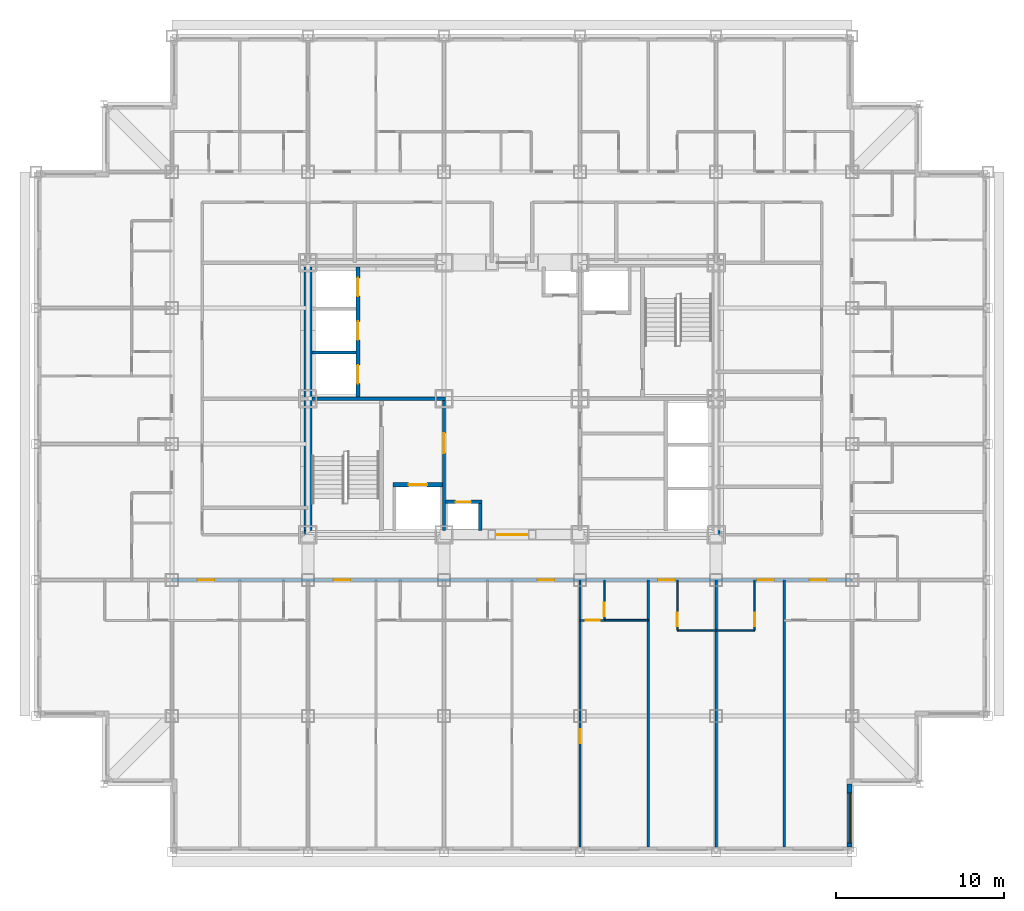
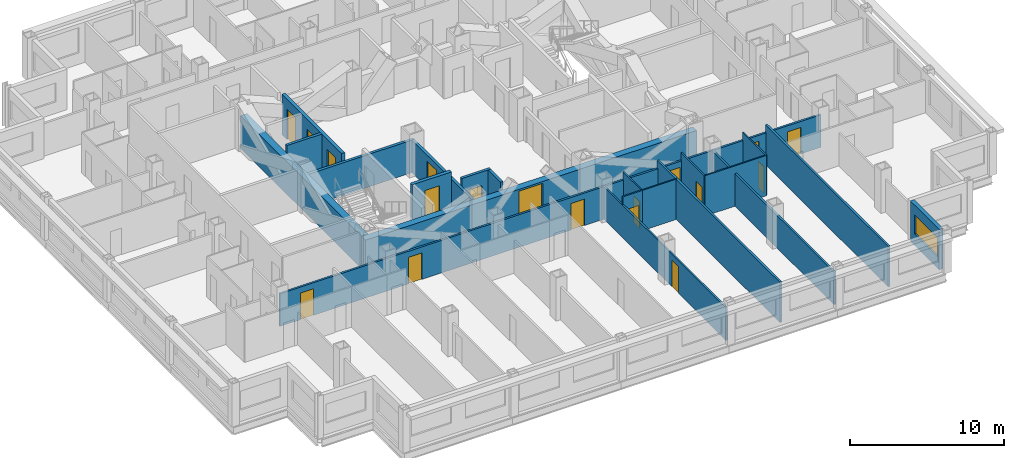
# One storey, part 6 of 13: 21 walls, 18 doors, 1 window, 19 openings.
"""IFC4 building model written with IfcOpenShell, lengths in metres."""

from ifc_helpers import new_model, si_unit, direction, frame, frame_2d, origin, place, context, subcontext, project, spatial, rectangle, extrude, material, layer, layer_set, type_object, element, fill, save


model = new_model("IFC4")

# Units and contexts
model_context = context("Model", 3, precision=1e-05, world=origin(), true_north=direction((0.0, 1.0)))
body_context = subcontext(model_context, "Body", "Model", "MODEL_VIEW")
ifc_project = project(units=[si_unit("LENGTHUNIT", "METRE"), si_unit("AREAUNIT", "SQUARE_METRE"), si_unit("VOLUMEUNIT", "CUBIC_METRE"), si_unit("PLANEANGLEUNIT", "RADIAN"), si_unit("MASSUNIT", "GRAM", prefix="KILO")], contexts=[model_context])

# Site, building, storey
site_placement = place(None, origin())
site = spatial("IfcSite", under=ifc_project, at=site_placement, CompositionType="ELEMENT")
building_placement = place(site_placement, origin())
building = spatial("IfcBuilding", under=site, at=building_placement, Name="Kopane Lantern Tower", CompositionType="ELEMENT")
storey_placement = place(building_placement, frame((0.0, 0.0, 130.60009765625)))
storey = spatial("IfcBuildingStorey", under=building, at=storey_placement, Name="L33", CompositionType="ELEMENT", Elevation=130.60009765625)

# Wall, opening, door
ifc_material_1 = material(Name="Gypsum board on steel studs", Category="steel")
ifc_layer_1 = layer(ifc_material_1, 0.1201171875)
ifc_layer_set_1 = layer_set([ifc_layer_1], Name="APARTMENT INTERNAL WALL 120")
wall_type_1 = type_object("IfcWallType", Name="APARTMENT INTERNAL WALL 120", PredefinedType="PARTITIONING", material=ifc_layer_set_1)
wall_1_placement = place(storey_placement, frame((32.39990234375, 21.60009765625, 0.0), z_axis=(0.0, 0.0, 1.0), x_axis=(0.0, -1.0, 0.0)))
wall_1 = element("IfcWall", 1, at=wall_1_placement, inside=storey, type_object=wall_type_1, Name="Apartment Internal Wall 120 L33", PredefinedType="PARTITIONING", context=body_context, shape_type="SweptSolid", body=[
    extrude(rectangle(XDim=15.900146484375, YDim=0.1201171875, at=frame_2d((7.9501953125, 0.0))), origin(), (0.0, 0.0, 1.0), 2.57763671875),
])
opening_1_placement = place(wall_1_placement, frame((8.875, 0.0, 0.0)))
opening_1 = element("IfcOpeningElement", 2, at=opening_1_placement, cuts=wall_1, Name="Opening L33-024", PredefinedType="OPENING", context=body_context, shape_type="SweptSolid", body=[
    extrude(rectangle(XDim=0.85009765625, YDim=2.10009765625, at=frame_2d((0.425048828125, 1.050048828125))), frame((0.0, 0.070068359375, 0.0), z_axis=(0.0, -1.0, 0.0), x_axis=(1.0, 0.0, 0.0)), (0.0, 0.0, 1.0), 0.14013671875),
])
ifc_material_2 = material(Name="Timber door set", Category="wood")
door_type_1 = type_object("IfcDoorType", Name="DOOR D4 850x2100", OperationType="SINGLE_SWING_LEFT", PredefinedType="DOOR", material=ifc_material_2)
door_1_placement = place(opening_1_placement, origin())
door_1 = element("IfcDoor", 3, at=door_1_placement, inside=storey, type_object=door_type_1, Name="Door L33-024", OperationType="SINGLE_SWING_LEFT", OverallHeight=2.10009765625, OverallWidth=0.85009765625, PredefinedType="DOOR", context=body_context, shape_type="SweptSolid", body=[
    extrude(rectangle(XDim=0.85009765625, YDim=2.10009765625, at=frame_2d((0.425048828125, 1.050048828125))), frame((0.0, 0.02490234375, 0.0), z_axis=(0.0, -1.0, 0.0), x_axis=(1.0, 0.0, 0.0)), (0.0, 0.0, 1.0), 0.050048828125),
])
fill(opening_1, door_1)

wall_2_placement = place(storey_placement, frame((33.860107421875, 19.199951171875, 0.0), z_axis=(0.0, 0.0, 1.0), x_axis=(-1.0, 0.0, 0.0)))
wall_2 = element("IfcWall", 4, at=wall_2_placement, inside=storey, type_object=wall_type_1, Name="Apartment Internal Wall 120 L33", PredefinedType="PARTITIONING", context=body_context, shape_type="SweptSolid", body=[
    extrude(rectangle(XDim=1.460205078125, YDim=0.1201171875, at=frame_2d((0.72998046875, 0.0))), origin(), (0.0, 0.0, 1.0), 3.18994140625),
])
opening_2_placement = place(wall_2_placement, frame((0.27490234375, 0.0, 0.0)))
opening_2 = element("IfcOpeningElement", 5, at=opening_2_placement, cuts=wall_2, Name="Opening L33-082", PredefinedType="OPENING", context=body_context, shape_type="SweptSolid", body=[
    extrude(rectangle(XDim=0.85009765625, YDim=2.10009765625, at=frame_2d((0.425048828125, 1.050048828125))), frame((0.0, 0.070068359375, 0.0), z_axis=(0.0, -1.0, 0.0), x_axis=(1.0, 0.0, 0.0)), (0.0, 0.0, 1.0), 0.14013671875),
])
door_2_placement = place(opening_2_placement, origin())
door_2 = element("IfcDoor", 6, at=door_2_placement, inside=storey, type_object=door_type_1, Name="Door L33-082", OperationType="SINGLE_SWING_RIGHT", OverallHeight=2.10009765625, OverallWidth=0.85009765625, PredefinedType="DOOR", context=body_context, shape_type="SweptSolid", body=[
    extrude(rectangle(XDim=0.85009765625, YDim=2.10009765625, at=frame_2d((0.425048828125, 1.050048828125))), frame((0.0, 0.02490234375, 0.0), z_axis=(0.0, -1.0, 0.0), x_axis=(1.0, 0.0, 0.0)), (0.0, 0.0, 1.0), 0.050048828125),
])
fill(opening_2, door_2)

# Wall
ifc_material_3 = material(Name="Moisture-resistant board on steel studs", Category="steel")
ifc_layer_2 = layer(ifc_material_3, 0.10009765625)
ifc_layer_set_2 = layer_set([ifc_layer_2], Name="BATHROOM WALL 100")
wall_type_2 = type_object("IfcWallType", Name="BATHROOM WALL 100", PredefinedType="PARTITIONING", material=ifc_layer_set_2)
wall_3_placement = place(storey_placement, frame((33.85009765625, 19.199951171875, 0.0), z_axis=(0.0, 0.0, 1.0), x_axis=(1.0, 0.0, 0.0)))
element("IfcWall", 7, at=wall_3_placement, inside=storey, type_object=wall_type_2, Name="Bathroom Wall 100 L33", PredefinedType="PARTITIONING", context=body_context, shape_type="SweptSolid", body=[
    extrude(rectangle(XDim=2.599853515625, YDim=0.10009765625, at=frame_2d((1.2998046875, 0.0))), origin(), (0.0, 0.0, 1.0), 3.18994140625),
])

# Wall, opening, door
wall_4_placement = place(storey_placement, frame((33.85009765625, 21.60009765625, 0.0), z_axis=(0.0, 0.0, 1.0), x_axis=(0.0, -1.0, 0.0)))
wall_4 = element("IfcWall", 8, at=wall_4_placement, inside=storey, type_object=wall_type_2, Name="Bathroom Wall 100 L33", PredefinedType="PARTITIONING", context=body_context, shape_type="SweptSolid", body=[
    extrude(rectangle(XDim=2.400146484375, YDim=0.10009765625, at=frame_2d((1.2001953125, 0.0))), origin(), (0.0, 0.0, 1.0), 3.18994140625),
])
opening_3_placement = place(wall_4_placement, frame((1.35009765625, 0.0, 0.0)))
opening_3 = element("IfcOpeningElement", 9, at=opening_3_placement, cuts=wall_4, Name="Opening L33-023", PredefinedType="OPENING", context=body_context, shape_type="SweptSolid", body=[
    extrude(rectangle(XDim=0.800048828125, YDim=2.10009765625, at=frame_2d((0.39990234375, 1.050048828125))), frame((0.0, 0.06005859375, 0.0), z_axis=(0.0, -1.0, 0.0), x_axis=(1.0, 0.0, 0.0)), (0.0, 0.0, 1.0), 0.1201171875),
])
ifc_material_4 = material(Name="Timber door set", Category="wood")
door_type_2 = type_object("IfcDoorType", Name="DOOR D2 800x2100", OperationType="SINGLE_SWING_LEFT", PredefinedType="DOOR", material=ifc_material_4)
door_3_placement = place(opening_3_placement, origin())
door_3 = element("IfcDoor", 10, at=door_3_placement, inside=storey, type_object=door_type_2, Name="Door L33-023", OperationType="SINGLE_SWING_LEFT", OverallHeight=2.10009765625, OverallWidth=0.800048828125, PredefinedType="DOOR", context=body_context, shape_type="SweptSolid", body=[
    extrude(rectangle(XDim=0.800048828125, YDim=2.10009765625, at=frame_2d((0.39990234375, 1.050048828125))), frame((0.0, 0.02490234375, 0.0), z_axis=(0.0, -1.0, 0.0), x_axis=(1.0, 0.0, 0.0)), (0.0, 0.0, 1.0), 0.050048828125),
])
fill(opening_3, door_3)

# Wall
wall_5_placement = place(storey_placement, frame((38.199951171875, 18.60009765625, 0.0), z_axis=(0.0, 0.0, 1.0), x_axis=(1.0, 0.0, 0.0)))
element("IfcWall", 11, at=wall_5_placement, inside=storey, type_object=wall_type_2, Name="Bathroom Wall 100 L33", PredefinedType="PARTITIONING", context=body_context, shape_type="SweptSolid", body=[
    extrude(rectangle(XDim=4.60009765625, YDim=0.10009765625, at=frame_2d((2.300048828125, 0.0))), origin(), (0.0, 0.0, 1.0), 3.18994140625),
])

# Wall, opening, door
wall_6_placement = place(storey_placement, frame((38.199951171875, 21.60009765625, 0.0), z_axis=(0.0, 0.0, 1.0), x_axis=(0.0, -1.0, 0.0)))
wall_6 = element("IfcWall", 12, at=wall_6_placement, inside=storey, type_object=wall_type_2, Name="Bathroom Wall 100 L33", PredefinedType="PARTITIONING", context=body_context, shape_type="SweptSolid", body=[
    extrude(rectangle(XDim=3.0, YDim=0.10009765625, at=frame_2d((1.5, 0.0))), origin(), (0.0, 0.0, 1.0), 3.18994140625),
])
opening_4_placement = place(wall_6_placement, frame((1.949951171875, 0.0, 0.0)))
opening_4 = element("IfcOpeningElement", 13, at=opening_4_placement, cuts=wall_6, Name="Opening L33-025", PredefinedType="OPENING", context=body_context, shape_type="SweptSolid", body=[
    extrude(rectangle(XDim=0.800048828125, YDim=2.10009765625, at=frame_2d((0.39990234375, 1.050048828125))), frame((0.0, 0.06005859375, 0.0), z_axis=(0.0, -1.0, 0.0), x_axis=(1.0, 0.0, 0.0)), (0.0, 0.0, 1.0), 0.1201171875),
])
door_4_placement = place(opening_4_placement, origin())
door_4 = element("IfcDoor", 14, at=door_4_placement, inside=storey, type_object=door_type_2, Name="Door L33-025", OperationType="SINGLE_SWING_RIGHT", OverallHeight=2.10009765625, OverallWidth=0.800048828125, PredefinedType="DOOR", context=body_context, shape_type="SweptSolid", body=[
    extrude(rectangle(XDim=0.800048828125, YDim=2.10009765625, at=frame_2d((0.39990234375, 1.050048828125))), frame((0.0, 0.02490234375, 0.0), z_axis=(0.0, -1.0, 0.0), x_axis=(1.0, 0.0, 0.0)), (0.0, 0.0, 1.0), 0.050048828125),
])
fill(opening_4, door_4)

wall_7_placement = place(storey_placement, frame((42.800048828125, 21.60009765625, 0.0), z_axis=(0.0, 0.0, 1.0), x_axis=(0.0, -1.0, 0.0)))
wall_7 = element("IfcWall", 15, at=wall_7_placement, inside=storey, type_object=wall_type_2, Name="Bathroom Wall 100 L33", PredefinedType="PARTITIONING", context=body_context, shape_type="SweptSolid", body=[
    extrude(rectangle(XDim=3.0, YDim=0.10009765625, at=frame_2d((1.5, 0.0))), origin(), (0.0, 0.0, 1.0), 3.18994140625),
])
opening_5_placement = place(wall_7_placement, frame((1.949951171875, 0.0, 0.0)))
opening_5 = element("IfcOpeningElement", 16, at=opening_5_placement, cuts=wall_7, Name="Opening L33-027", PredefinedType="OPENING", context=body_context, shape_type="SweptSolid", body=[
    extrude(rectangle(XDim=0.800048828125, YDim=2.10009765625, at=frame_2d((0.39990234375, 1.050048828125))), frame((0.0, 0.06005859375, 0.0), z_axis=(0.0, -1.0, 0.0), x_axis=(1.0, 0.0, 0.0)), (0.0, 0.0, 1.0), 0.1201171875),
])
door_5_placement = place(opening_5_placement, origin())
door_5 = element("IfcDoor", 17, at=door_5_placement, inside=storey, type_object=door_type_2, Name="Door L33-027", OperationType="SINGLE_SWING_LEFT", OverallHeight=2.10009765625, OverallWidth=0.800048828125, PredefinedType="DOOR", context=body_context, shape_type="SweptSolid", body=[
    extrude(rectangle(XDim=0.800048828125, YDim=2.10009765625, at=frame_2d((0.39990234375, 1.050048828125))), frame((0.0, 0.02490234375, 0.0), z_axis=(0.0, -1.0, 0.0), x_axis=(1.0, 0.0, 0.0)), (0.0, 0.0, 1.0), 0.050048828125),
])
fill(opening_5, door_5)

ifc_material_5 = material(Name="Gypsum shaft wall EI 120", Category="gypsum")
ifc_layer_3 = layer(ifc_material_5, 0.5)
ifc_layer_set_3 = layer_set([ifc_layer_3], Name="CORE PERIMETER WALL 500 EI 120")
wall_type_3 = type_object("IfcWallType", Name="CORE PERIMETER WALL 500 EI 120", PredefinedType="SOLIDWALL", material=ifc_layer_set_3)
wall_8_placement = place(storey_placement, frame((15.949951171875, 24.300048828125, 0.0), z_axis=(0.0, 0.0, 1.0), x_axis=(1.0, 0.0, 0.0)))
wall_8 = element("IfcWall", 18, at=wall_8_placement, inside=storey, type_object=wall_type_3, Name="Core shaft wall L33 PS", PredefinedType="SOLIDWALL", context=body_context, shape_type="SweptSolid", body=[
    extrude(rectangle(XDim=24.800048828125, YDim=0.5, at=frame_2d((12.39990234375, 0.0))), origin(), (0.0, 0.0, 1.0), 2.539794921875),
])
opening_6_placement = place(wall_8_placement, frame((11.5, 0.0, 0.0)))
opening_6 = element("IfcOpeningElement", 19, at=opening_6_placement, cuts=wall_8, Name="Opening 33.CE-S", PredefinedType="OPENING", context=body_context, shape_type="SweptSolid", body=[
    extrude(rectangle(XDim=1.800048828125, YDim=2.39990234375, at=frame_2d((0.89990234375, 1.199951171875))), frame((0.0, 0.260009765625, 0.0), z_axis=(0.0, -1.0, 0.0), x_axis=(1.0, 0.0, 0.0)), (0.0, 0.0, 1.0), 0.52001953125),
])
ifc_material_6 = material(Name="Steel door set", Category="steel")
door_type_3 = type_object("IfcDoorType", Name="CORE ENTRY DOOR 1800x2400 FD60S", OperationType="DOUBLE_DOOR_SINGLE_SWING", PredefinedType="DOOR", material=ifc_material_6)
door_6_placement = place(opening_6_placement, origin())
door_6 = element("IfcDoor", 20, at=door_6_placement, inside=storey, type_object=door_type_3, Name="Core entry door L33 south", OperationType="DOUBLE_DOOR_SINGLE_SWING", OverallHeight=2.39990234375, OverallWidth=1.800048828125, PredefinedType="DOOR", context=body_context, shape_type="SweptSolid", body=[
    extrude(rectangle(XDim=1.800048828125, YDim=2.39990234375, at=frame_2d((0.89990234375, 1.199951171875))), frame((0.0, 0.02490234375, 0.0), z_axis=(0.0, -1.0, 0.0), x_axis=(1.0, 0.0, 0.0)), (0.0, 0.0, 1.0), 0.050048828125),
])
fill(opening_6, door_6)

# Wall
wall_9_placement = place(storey_placement, frame((16.199951171875, 24.550048828125, 0.0), z_axis=(0.0, 0.0, 1.0), x_axis=(0.0, 1.0, 0.0)))
element("IfcWall", 21, at=wall_9_placement, inside=storey, type_object=wall_type_3, Name="Core shaft wall L33 PW", PredefinedType="SOLIDWALL", context=body_context, shape_type="SweptSolid", body=[
    extrude(rectangle(XDim=15.699951171875, YDim=0.5, at=frame_2d((7.85009765625, 0.0))), origin(), (0.0, 0.0, 1.0), 2.57763671875),
])

# Wall, opening, door
ifc_material_7 = material(Name="Gypsum shaft wall EI 120", Category="gypsum")
ifc_layer_4 = layer(ifc_material_7, 0.25)
ifc_layer_set_4 = layer_set([ifc_layer_4], Name="CORE SHAFT WALL 250 EI 120")
wall_type_4 = type_object("IfcWallType", Name="CORE SHAFT WALL 250 EI 120", PredefinedType="SOLIDWALL", material=ifc_layer_set_4)
wall_10_placement = place(storey_placement, frame((21.25, 27.27490234375, 0.0), z_axis=(0.0, 0.0, 1.0), x_axis=(1.0, 0.0, 0.0)))
wall_10 = element("IfcWall", 22, at=wall_10_placement, inside=storey, type_object=wall_type_4, Name="Core shaft wall L33 YLF1", PredefinedType="SOLIDWALL", context=body_context, shape_type="SweptSolid", body=[
    extrude(rectangle(XDim=2.949951171875, YDim=0.25, at=frame_2d((1.47509765625, 0.0))), origin(), (0.0, 0.0, 1.0), 3.18994140625),
])
opening_7_placement = place(wall_10_placement, frame((0.949951171875, 0.0, 0.0)))
opening_7 = element("IfcOpeningElement", 23, at=opening_7_placement, cuts=wall_10, Name="Opening 33.LD-LF1", PredefinedType="OPENING", context=body_context, shape_type="SweptSolid", body=[
    extrude(rectangle(XDim=1.10009765625, YDim=2.39990234375, at=frame_2d((0.550048828125, 1.199951171875))), frame((0.0, 0.135009765625, 0.0), z_axis=(0.0, -1.0, 0.0), x_axis=(1.0, 0.0, 0.0)), (0.0, 0.0, 1.0), 0.27001953125),
])
ifc_material_8 = material(Name="Steel door set", Category="steel")
door_type_4 = type_object("IfcDoorType", Name="LIFT LANDING DOOR 1100x2400 FD60", OperationType="DOUBLE_DOOR_SLIDING", PredefinedType="DOOR", material=ifc_material_8)
door_7_placement = place(opening_7_placement, origin())
door_7 = element("IfcDoor", 24, at=door_7_placement, inside=storey, type_object=door_type_4, Name="Landing door LF1 L33", OperationType="DOUBLE_DOOR_SLIDING", OverallHeight=2.39990234375, OverallWidth=1.10009765625, PredefinedType="DOOR", context=body_context, shape_type="SweptSolid", body=[
    extrude(rectangle(XDim=1.10009765625, YDim=2.39990234375, at=frame_2d((0.550048828125, 1.199951171875))), frame((0.0, 0.02490234375, 0.0), z_axis=(0.0, -1.0, 0.0), x_axis=(1.0, 0.0, 0.0)), (0.0, 0.0, 1.0), 0.050048828125),
])
fill(opening_7, door_7)

# Wall, openings, doors
wall_11_placement = place(storey_placement, frame((19.175048828125, 32.5, 0.0), z_axis=(0.0, 0.0, 1.0), x_axis=(0.0, 1.0, 0.0)))
wall_11 = element("IfcWall", 25, at=wall_11_placement, inside=storey, type_object=wall_type_4, Name="Core shaft wall L33 XLH", PredefinedType="SOLIDWALL", context=body_context, shape_type="SweptSolid", body=[
    extrude(rectangle(XDim=7.75, YDim=0.25, at=frame_2d((3.875, 0.0))), origin(), (0.0, 0.0, 1.0), 3.18994140625),
])
opening_8_placement = place(wall_11_placement, frame((0.800048828125, 0.0, 0.0)))
opening_8 = element("IfcOpeningElement", 26, at=opening_8_placement, cuts=wall_11, Name="Opening 33.LD-LH1", PredefinedType="OPENING", context=body_context, shape_type="SweptSolid", body=[
    extrude(rectangle(XDim=1.10009765625, YDim=2.39990234375, at=frame_2d((0.550048828125, 1.199951171875))), frame((0.0, 0.135009765625, 0.0), z_axis=(0.0, -1.0, 0.0), x_axis=(1.0, 0.0, 0.0)), (0.0, 0.0, 1.0), 0.27001953125),
])
opening_9_placement = place(wall_11_placement, frame((3.39990234375, 0.0, 0.0)))
opening_9 = element("IfcOpeningElement", 27, at=opening_9_placement, cuts=wall_11, Name="Opening 33.LD-LH2", PredefinedType="OPENING", context=body_context, shape_type="SweptSolid", body=[
    extrude(rectangle(XDim=1.10009765625, YDim=2.39990234375, at=frame_2d((0.550048828125, 1.199951171875))), frame((0.0, 0.135009765625, 0.0), z_axis=(0.0, -1.0, 0.0), x_axis=(1.0, 0.0, 0.0)), (0.0, 0.0, 1.0), 0.27001953125),
])
opening_10_placement = place(wall_11_placement, frame((6.0, 0.0, 0.0)))
opening_10 = element("IfcOpeningElement", 28, at=opening_10_placement, cuts=wall_11, Name="Opening 33.LD-LH3", PredefinedType="OPENING", context=body_context, shape_type="SweptSolid", body=[
    extrude(rectangle(XDim=1.10009765625, YDim=2.39990234375, at=frame_2d((0.550048828125, 1.199951171875))), frame((0.0, 0.135009765625, 0.0), z_axis=(0.0, -1.0, 0.0), x_axis=(1.0, 0.0, 0.0)), (0.0, 0.0, 1.0), 0.27001953125),
])
door_8_placement = place(opening_8_placement, origin())
door_8 = element("IfcDoor", 29, at=door_8_placement, inside=storey, type_object=door_type_4, Name="Landing door LH1 L33", OperationType="DOUBLE_DOOR_SLIDING", OverallHeight=2.39990234375, OverallWidth=1.10009765625, PredefinedType="DOOR", context=body_context, shape_type="SweptSolid", body=[
    extrude(rectangle(XDim=1.10009765625, YDim=2.39990234375, at=frame_2d((0.550048828125, 1.199951171875))), frame((0.0, 0.02490234375, 0.0), z_axis=(0.0, -1.0, 0.0), x_axis=(1.0, 0.0, 0.0)), (0.0, 0.0, 1.0), 0.050048828125),
])
fill(opening_8, door_8)
door_9_placement = place(opening_9_placement, origin())
door_9 = element("IfcDoor", 30, at=door_9_placement, inside=storey, type_object=door_type_4, Name="Landing door LH2 L33", OperationType="DOUBLE_DOOR_SLIDING", OverallHeight=2.39990234375, OverallWidth=1.10009765625, PredefinedType="DOOR", context=body_context, shape_type="SweptSolid", body=[
    extrude(rectangle(XDim=1.10009765625, YDim=2.39990234375, at=frame_2d((0.550048828125, 1.199951171875))), frame((0.0, 0.02490234375, 0.0), z_axis=(0.0, -1.0, 0.0), x_axis=(1.0, 0.0, 0.0)), (0.0, 0.0, 1.0), 0.050048828125),
])
fill(opening_9, door_9)
door_10_placement = place(opening_10_placement, origin())
door_10 = element("IfcDoor", 31, at=door_10_placement, inside=storey, type_object=door_type_4, Name="Landing door LH3 L33", OperationType="DOUBLE_DOOR_SLIDING", OverallHeight=2.39990234375, OverallWidth=1.10009765625, PredefinedType="DOOR", context=body_context, shape_type="SweptSolid", body=[
    extrude(rectangle(XDim=1.10009765625, YDim=2.39990234375, at=frame_2d((0.550048828125, 1.199951171875))), frame((0.0, 0.02490234375, 0.0), z_axis=(0.0, -1.0, 0.0), x_axis=(1.0, 0.0, 0.0)), (0.0, 0.0, 1.0), 0.050048828125),
])
fill(opening_10, door_10)

ifc_material_9 = material(Name="Gypsum board on steel studs", Category="steel")
ifc_layer_5 = layer(ifc_material_9, 0.14990234375)
ifc_layer_set_5 = layer_set([ifc_layer_5], Name="CORRIDOR WALL 150 EI 60")
wall_type_5 = type_object("IfcWallType", Name="CORRIDOR WALL 150 EI 60", PredefinedType="PARTITIONING", material=ifc_layer_set_5)
wall_12_placement = place(storey_placement, frame((8.10009765625, 21.60009765625, 0.0), z_axis=(0.0, 0.0, 1.0), x_axis=(1.0, 0.0, 0.0)))
wall_12 = element("IfcWall", 32, at=wall_12_placement, inside=storey, type_object=wall_type_5, Name="Corridor Wall 150 Ei 60 L33", PredefinedType="PARTITIONING", context=body_context, shape_type="SweptSolid", body=[
    extrude(rectangle(XDim=40.5, YDim=0.14990234375, at=frame_2d((20.25, 0.0))), origin(), (0.0, 0.0, 1.0), 2.57763671875),
])
opening_11_placement = place(wall_12_placement, frame((9.625, 0.0, 0.0)))
opening_11 = element("IfcOpeningElement", 33, at=opening_11_placement, cuts=wall_12, Name="Opening L33-015", PredefinedType="OPENING", context=body_context, shape_type="SweptSolid", body=[
    extrude(rectangle(XDim=1.0, YDim=2.10009765625, at=frame_2d((0.5, 1.050048828125))), frame((0.0, 0.0849609375, 0.0), z_axis=(0.0, -1.0, 0.0), x_axis=(1.0, 0.0, 0.0)), (0.0, 0.0, 1.0), 0.169921875),
])
opening_12_placement = place(wall_12_placement, frame((21.77490234375, 0.0, 0.0)))
opening_12 = element("IfcOpeningElement", 34, at=opening_12_placement, cuts=wall_12, Name="Opening L33-020", PredefinedType="OPENING", context=body_context, shape_type="SweptSolid", body=[
    extrude(rectangle(XDim=1.0, YDim=2.10009765625, at=frame_2d((0.5, 1.050048828125))), frame((0.0, 0.0849609375, 0.0), z_axis=(0.0, -1.0, 0.0), x_axis=(1.0, 0.0, 0.0)), (0.0, 0.0, 1.0), 0.169921875),
])
opening_13_placement = place(wall_12_placement, frame((28.949951171875, 0.0, 0.0)))
opening_13 = element("IfcOpeningElement", 35, at=opening_13_placement, cuts=wall_12, Name="Opening L33-026", PredefinedType="OPENING", context=body_context, shape_type="SweptSolid", body=[
    extrude(rectangle(XDim=1.0, YDim=2.10009765625, at=frame_2d((0.5, 1.050048828125))), frame((0.0, 0.0849609375, 0.0), z_axis=(0.0, -1.0, 0.0), x_axis=(1.0, 0.0, 0.0)), (0.0, 0.0, 1.0), 0.169921875),
])
opening_14_placement = place(wall_12_placement, frame((34.85009765625, 0.0, 0.0)))
opening_14 = element("IfcOpeningElement", 36, at=opening_14_placement, cuts=wall_12, Name="Opening L33-028", PredefinedType="OPENING", context=body_context, shape_type="SweptSolid", body=[
    extrude(rectangle(XDim=1.0, YDim=2.10009765625, at=frame_2d((0.5, 1.050048828125))), frame((0.0, 0.0849609375, 0.0), z_axis=(0.0, -1.0, 0.0), x_axis=(1.0, 0.0, 0.0)), (0.0, 0.0, 1.0), 0.169921875),
])
opening_15_placement = place(wall_12_placement, frame((1.52490234375, 0.0, 0.0)))
opening_15 = element("IfcOpeningElement", 37, at=opening_15_placement, cuts=wall_12, Name="Opening L33-065", PredefinedType="OPENING", context=body_context, shape_type="SweptSolid", body=[
    extrude(rectangle(XDim=1.0, YDim=2.10009765625, at=frame_2d((0.5, 1.050048828125))), frame((0.0, 0.0849609375, 0.0), z_axis=(0.0, -1.0, 0.0), x_axis=(1.0, 0.0, 0.0)), (0.0, 0.0, 1.0), 0.169921875),
])
opening_16_placement = place(wall_12_placement, frame((37.97509765625, 0.0, 0.0)))
opening_16 = element("IfcOpeningElement", 38, at=opening_16_placement, cuts=wall_12, Name="Opening L33-069", PredefinedType="OPENING", context=body_context, shape_type="SweptSolid", body=[
    extrude(rectangle(XDim=1.0, YDim=2.10009765625, at=frame_2d((0.5, 1.050048828125))), frame((0.0, 0.0849609375, 0.0), z_axis=(0.0, -1.0, 0.0), x_axis=(1.0, 0.0, 0.0)), (0.0, 0.0, 1.0), 0.169921875),
])
ifc_material_10 = material(Name="Steel door set", Category="steel")
door_type_5 = type_object("IfcDoorType", Name="DOOR D1 1000x2100 FD30S", OperationType="SINGLE_SWING_LEFT", PredefinedType="DOOR", material=ifc_material_10)
door_11_placement = place(opening_11_placement, origin())
door_11 = element("IfcDoor", 39, at=door_11_placement, inside=storey, type_object=door_type_5, Name="Door L33-015", OperationType="SINGLE_SWING_LEFT", OverallHeight=2.10009765625, OverallWidth=1.0, PredefinedType="DOOR", context=body_context, shape_type="SweptSolid", body=[
    extrude(rectangle(XDim=1.0, YDim=2.10009765625, at=frame_2d((0.5, 1.050048828125))), frame((0.0, 0.02490234375, 0.0), z_axis=(0.0, -1.0, 0.0), x_axis=(1.0, 0.0, 0.0)), (0.0, 0.0, 1.0), 0.050048828125),
])
fill(opening_11, door_11)
door_12_placement = place(opening_12_placement, origin())
door_12 = element("IfcDoor", 40, at=door_12_placement, inside=storey, type_object=door_type_5, Name="Door L33-020", OperationType="SINGLE_SWING_RIGHT", OverallHeight=2.10009765625, OverallWidth=1.0, PredefinedType="DOOR", context=body_context, shape_type="SweptSolid", body=[
    extrude(rectangle(XDim=1.0, YDim=2.10009765625, at=frame_2d((0.5, 1.050048828125))), frame((0.0, 0.02490234375, 0.0), z_axis=(0.0, -1.0, 0.0), x_axis=(1.0, 0.0, 0.0)), (0.0, 0.0, 1.0), 0.050048828125),
])
fill(opening_12, door_12)
door_13_placement = place(opening_13_placement, origin())
door_13 = element("IfcDoor", 41, at=door_13_placement, inside=storey, type_object=door_type_5, Name="Door L33-026", OperationType="SINGLE_SWING_LEFT", OverallHeight=2.10009765625, OverallWidth=1.0, PredefinedType="DOOR", context=body_context, shape_type="SweptSolid", body=[
    extrude(rectangle(XDim=1.0, YDim=2.10009765625, at=frame_2d((0.5, 1.050048828125))), frame((0.0, 0.02490234375, 0.0), z_axis=(0.0, -1.0, 0.0), x_axis=(1.0, 0.0, 0.0)), (0.0, 0.0, 1.0), 0.050048828125),
])
fill(opening_13, door_13)
door_14_placement = place(opening_14_placement, origin())
door_14 = element("IfcDoor", 42, at=door_14_placement, inside=storey, type_object=door_type_5, Name="Door L33-028", OperationType="SINGLE_SWING_RIGHT", OverallHeight=2.10009765625, OverallWidth=1.0, PredefinedType="DOOR", context=body_context, shape_type="SweptSolid", body=[
    extrude(rectangle(XDim=1.0, YDim=2.10009765625, at=frame_2d((0.5, 1.050048828125))), frame((0.0, 0.02490234375, 0.0), z_axis=(0.0, -1.0, 0.0), x_axis=(1.0, 0.0, 0.0)), (0.0, 0.0, 1.0), 0.050048828125),
])
fill(opening_14, door_14)
door_15_placement = place(opening_15_placement, origin())
door_15 = element("IfcDoor", 43, at=door_15_placement, inside=storey, type_object=door_type_5, Name="Door L33-065", OperationType="SINGLE_SWING_LEFT", OverallHeight=2.10009765625, OverallWidth=1.0, PredefinedType="DOOR", context=body_context, shape_type="SweptSolid", body=[
    extrude(rectangle(XDim=1.0, YDim=2.10009765625, at=frame_2d((0.5, 1.050048828125))), frame((0.0, 0.02490234375, 0.0), z_axis=(0.0, -1.0, 0.0), x_axis=(1.0, 0.0, 0.0)), (0.0, 0.0, 1.0), 0.050048828125),
])
fill(opening_15, door_15)
door_16_placement = place(opening_16_placement, origin())
door_16 = element("IfcDoor", 44, at=door_16_placement, inside=storey, type_object=door_type_5, Name="Door L33-069", OperationType="SINGLE_SWING_RIGHT", OverallHeight=2.10009765625, OverallWidth=1.0, PredefinedType="DOOR", context=body_context, shape_type="SweptSolid", body=[
    extrude(rectangle(XDim=1.0, YDim=2.10009765625, at=frame_2d((0.5, 1.050048828125))), frame((0.0, 0.02490234375, 0.0), z_axis=(0.0, -1.0, 0.0), x_axis=(1.0, 0.0, 0.0)), (0.0, 0.0, 1.0), 0.050048828125),
])
fill(opening_16, door_16)

# Walls
ifc_material_11 = material(Name="Gypsum board on steel studs", Category="steel")
ifc_layer_6 = layer(ifc_material_11, 0.14990234375)
ifc_layer_set_6 = layer_set([ifc_layer_6], Name="DEMISING WALL 150 EI 60")
wall_type_6 = type_object("IfcWallType", Name="DEMISING WALL 150 EI 60", PredefinedType="PARTITIONING", material=ifc_layer_set_6)
wall_13_placement = place(storey_placement, frame((36.449951171875, 21.60009765625, 0.0), z_axis=(0.0, 0.0, 1.0), x_axis=(0.0, -1.0, 0.0)))
element("IfcWall", 45, at=wall_13_placement, inside=storey, type_object=wall_type_6, Name="Demising Wall 150 Ei 60 L33", PredefinedType="PARTITIONING", context=body_context, shape_type="SweptSolid", body=[
    extrude(rectangle(XDim=15.900146484375, YDim=0.14990234375, at=frame_2d((7.9501953125, 0.0))), origin(), (0.0, 0.0, 1.0), 3.18994140625),
])
wall_14_placement = place(storey_placement, frame((40.5, 21.60009765625, 0.0), z_axis=(0.0, 0.0, 1.0), x_axis=(0.0, -1.0, 0.0)))
element("IfcWall", 46, at=wall_14_placement, inside=storey, type_object=wall_type_6, Name="Demising Wall 150 Ei 60 L33", PredefinedType="PARTITIONING", context=body_context, shape_type="SweptSolid", body=[
    extrude(rectangle(XDim=15.900146484375, YDim=0.14990234375, at=frame_2d((7.9501953125, 0.0))), origin(), (0.0, 0.0, 1.0), 2.57763671875),
])
wall_15_placement = place(storey_placement, frame((44.550048828125, 21.60009765625, 0.0), z_axis=(0.0, 0.0, 1.0), x_axis=(0.0, -1.0, 0.0)))
element("IfcWall", 47, at=wall_15_placement, inside=storey, type_object=wall_type_6, Name="Demising Wall 150 Ei 60 L33", PredefinedType="PARTITIONING", context=body_context, shape_type="SweptSolid", body=[
    extrude(rectangle(XDim=15.900146484375, YDim=0.14990234375, at=frame_2d((7.9501953125, 0.0))), origin(), (0.0, 0.0, 1.0), 3.18994140625),
])

# Wall, opening, window
ifc_material_12 = material(Name="Terracotta rainscreen on light steel framing", Category="masonry")
ifc_layer_7 = layer(ifc_material_12, 0.300048828125)
ifc_layer_set_7 = layer_set([ifc_layer_7], Name="EXTERNAL WALL EW1 300 TERRACOTTA")
wall_type_7 = type_object("IfcWallType", Name="EXTERNAL WALL EW1 300 TERRACOTTA", PredefinedType="SOLIDWALL", material=ifc_layer_set_7)
wall_16_placement = place(storey_placement, frame((48.449951171875, 5.699951171875, 0.0), z_axis=(0.0, 0.0, 1.0), x_axis=(0.0, 1.0, 0.0)))
wall_16 = element("IfcWall", 48, at=wall_16_placement, inside=storey, type_object=wall_type_7, Name="External wall E L33", PredefinedType="SOLIDWALL", context=body_context, shape_type="SweptSolid", body=[
    extrude(rectangle(XDim=3.75, YDim=0.300048828125, at=frame_2d((1.875, 0.0))), origin(), (0.0, 0.0, 1.0), 3.18994140625),
])
opening_17_placement = place(wall_16_placement, frame((0.22509765625, 0.0, 0.89990234375)))
opening_17 = element("IfcOpeningElement", 49, at=opening_17_placement, cuts=wall_16, Name="Opening WR300150", PredefinedType="OPENING", context=body_context, shape_type="SweptSolid", body=[
    extrude(rectangle(XDim=3.0, YDim=1.5, at=frame_2d((1.5, 0.75))), frame((0.0, 0.159912109375, 0.0), z_axis=(0.0, -1.0, 0.0), x_axis=(1.0, 0.0, 0.0)), (0.0, 0.0, 1.0), 0.320068359375),
])
ifc_material_13 = material(Name="Aluminium and clear glass", Category="aluminium")
window_type = type_object("IfcWindowType", Name="RIBBON WINDOW WR300150 3000x1500", PartitioningType="SINGLE_PANEL", PredefinedType="WINDOW", material=ifc_material_13)
window_placement = place(opening_17_placement, origin())
window = element("IfcWindow", 50, at=window_placement, inside=storey, type_object=window_type, Name="Window E L33", OverallHeight=1.5, OverallWidth=3.0, PartitioningType="SINGLE_PANEL", PredefinedType="WINDOW", context=body_context, shape_type="SweptSolid", body=[
    extrude(rectangle(XDim=3.0, YDim=1.5, at=frame_2d((1.5, 0.75))), frame((0.0, 0.030029296875, 0.0), z_axis=(0.0, -1.0, 0.0), x_axis=(1.0, 0.0, 0.0)), (0.0, 0.0, 1.0), 0.06005859375),
])
fill(opening_17, window)

# Wall
ifc_material_14 = material(Name="Gypsum shaft wall EI 120", Category="gypsum")
ifc_layer_8 = layer(ifc_material_14, 0.199951171875)
ifc_layer_set_8 = layer_set([ifc_layer_8], Name="SHAFT WALL 200 EI 120")
wall_type_8 = type_object("IfcWallType", Name="SHAFT WALL 200 EI 120", PredefinedType="SOLIDWALL", material=ifc_layer_set_8)
wall_17_placement = place(storey_placement, frame((16.449951171875, 32.39990234375, 0.0), z_axis=(0.0, 0.0, 1.0), x_axis=(1.0, 0.0, 0.0)))
element("IfcWall", 51, at=wall_17_placement, inside=storey, type_object=wall_type_8, Name="Core shaft wall L33 Y324W", PredefinedType="SOLIDWALL", context=body_context, shape_type="SweptSolid", body=[
    extrude(rectangle(XDim=7.949951171875, YDim=0.199951171875, at=frame_2d((3.97509765625, 0.0))), origin(), (0.0, 0.0, 1.0), 2.57763671875),
])

# Wall, opening, door
wall_18_placement = place(storey_placement, frame((24.300048828125, 24.550048828125, 0.0), z_axis=(0.0, 0.0, 1.0), x_axis=(0.0, 1.0, 0.0)))
wall_18 = element("IfcWall", 52, at=wall_18_placement, inside=storey, type_object=wall_type_8, Name="Core shaft wall L33 X243", PredefinedType="SOLIDWALL", context=body_context, shape_type="SweptSolid", body=[
    extrude(rectangle(XDim=7.75, YDim=0.199951171875, at=frame_2d((3.875, 0.0))), origin(), (0.0, 0.0, 1.0), 2.57763671875),
])
opening_18_placement = place(wall_18_placement, frame((4.60009765625, 0.0, 0.0)))
opening_18 = element("IfcOpeningElement", 53, at=opening_18_placement, cuts=wall_18, Name="Opening 33.FL1", PredefinedType="OPENING", context=body_context, shape_type="SweptSolid", body=[
    extrude(rectangle(XDim=1.199951171875, YDim=2.10009765625, at=frame_2d((0.60009765625, 1.050048828125))), frame((0.0, 0.10986328125, 0.0), z_axis=(0.0, -1.0, 0.0), x_axis=(1.0, 0.0, 0.0)), (0.0, 0.0, 1.0), 0.219970703125),
])
ifc_material_15 = material(Name="Steel door set", Category="steel")
door_type_6 = type_object("IfcDoorType", Name="FIREFIGHTING LOBBY DOOR 1200x2100 FD60S", OperationType="SINGLE_SWING_RIGHT", PredefinedType="DOOR", material=ifc_material_15)
door_17_placement = place(opening_18_placement, origin())
door_17 = element("IfcDoor", 54, at=door_17_placement, inside=storey, type_object=door_type_6, Name="Firefighting lobby door FL1 L33", OperationType="SINGLE_SWING_LEFT", OverallHeight=2.10009765625, OverallWidth=1.199951171875, PredefinedType="DOOR", context=body_context, shape_type="SweptSolid", body=[
    extrude(rectangle(XDim=1.199951171875, YDim=2.10009765625, at=frame_2d((0.60009765625, 1.050048828125))), frame((0.0, 0.02490234375, 0.0), z_axis=(0.0, -1.0, 0.0), x_axis=(1.0, 0.0, 0.0)), (0.0, 0.0, 1.0), 0.050048828125),
])
fill(opening_18, door_17)

# Walls
wall_19_placement = place(storey_placement, frame((16.449951171875, 35.14990234375, 0.0), z_axis=(0.0, 0.0, 1.0), x_axis=(1.0, 0.0, 0.0)))
element("IfcWall", 55, at=wall_19_placement, inside=storey, type_object=wall_type_8, Name="Core shaft wall L33 YLH12", PredefinedType="SOLIDWALL", context=body_context, shape_type="SweptSolid", body=[
    extrude(rectangle(XDim=2.60009765625, YDim=0.199951171875, at=frame_2d((1.300048828125, 0.0))), origin(), (0.0, 0.0, 1.0), 3.18994140625),
])
wall_20_placement = place(storey_placement, frame((26.449951171875, 24.550048828125, 0.0), z_axis=(0.0, 0.0, 1.0), x_axis=(0.0, 1.0, 0.0)))
element("IfcWall", 56, at=wall_20_placement, inside=storey, type_object=wall_type_8, Name="Core shaft wall L33 XRS1", PredefinedType="SOLIDWALL", context=body_context, shape_type="SweptSolid", body=[
    extrude(rectangle(XDim=1.599853515625, YDim=0.199951171875, at=frame_2d((0.7998046875, 0.0))), origin(), (0.0, 0.0, 1.0), 3.18994140625),
])

# Wall, opening, door
wall_21_placement = place(storey_placement, frame((24.39990234375, 26.25, 0.0), z_axis=(0.0, 0.0, 1.0), x_axis=(1.0, 0.0, 0.0)))
wall_21 = element("IfcWall", 57, at=wall_21_placement, inside=storey, type_object=wall_type_8, Name="Core shaft wall L33 YRS1", PredefinedType="SOLIDWALL", context=body_context, shape_type="SweptSolid", body=[
    extrude(rectangle(XDim=2.150146484375, YDim=0.199951171875, at=frame_2d((1.0751953125, 0.0))), origin(), (0.0, 0.0, 1.0), 3.18994140625),
])
opening_19_placement = place(wall_21_placement, frame((0.60009765625, 0.0, 0.0)))
opening_19 = element("IfcOpeningElement", 58, at=opening_19_placement, cuts=wall_21, Name="Opening 33.RS1", PredefinedType="OPENING", context=body_context, shape_type="SweptSolid", body=[
    extrude(rectangle(XDim=0.89990234375, YDim=2.10009765625, at=frame_2d((0.449951171875, 1.050048828125))), frame((0.0, 0.10986328125, 0.0), z_axis=(0.0, -1.0, 0.0), x_axis=(1.0, 0.0, 0.0)), (0.0, 0.0, 1.0), 0.219970703125),
])
ifc_material_16 = material(Name="Steel door set", Category="steel")
door_type_7 = type_object("IfcDoorType", Name="RISER ACCESS DOOR 900x2100 FD60", OperationType="SINGLE_SWING_LEFT", PredefinedType="DOOR", material=ifc_material_16)
door_18_placement = place(opening_19_placement, origin())
door_18 = element("IfcDoor", 59, at=door_18_placement, inside=storey, type_object=door_type_7, Name="Riser access door RS1 L33", OperationType="SINGLE_SWING_LEFT", OverallHeight=2.10009765625, OverallWidth=0.89990234375, PredefinedType="DOOR", context=body_context, shape_type="SweptSolid", body=[
    extrude(rectangle(XDim=0.89990234375, YDim=2.10009765625, at=frame_2d((0.449951171875, 1.050048828125))), frame((0.0, 0.02490234375, 0.0), z_axis=(0.0, -1.0, 0.0), x_axis=(1.0, 0.0, 0.0)), (0.0, 0.0, 1.0), 0.050048828125),
])
fill(opening_19, door_18)

save(model, "model.ifc")
